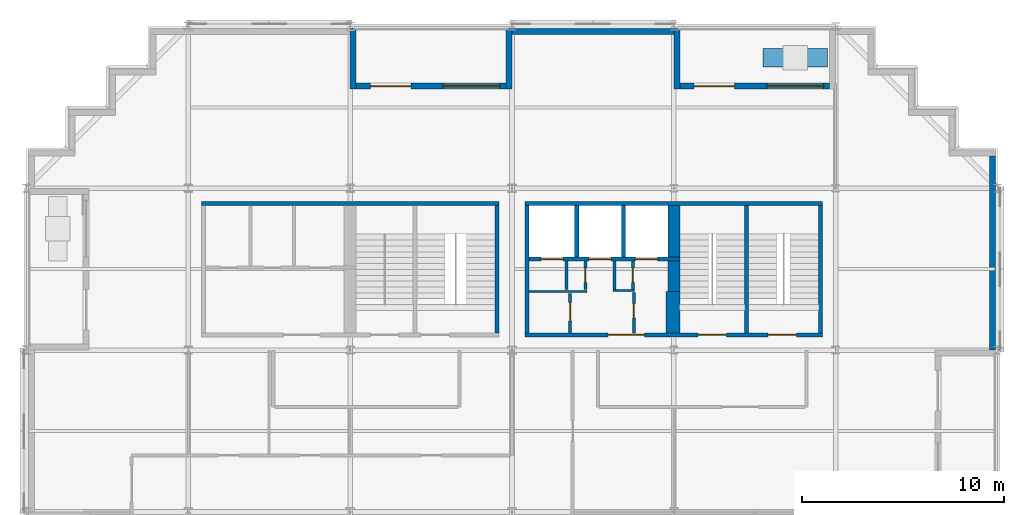
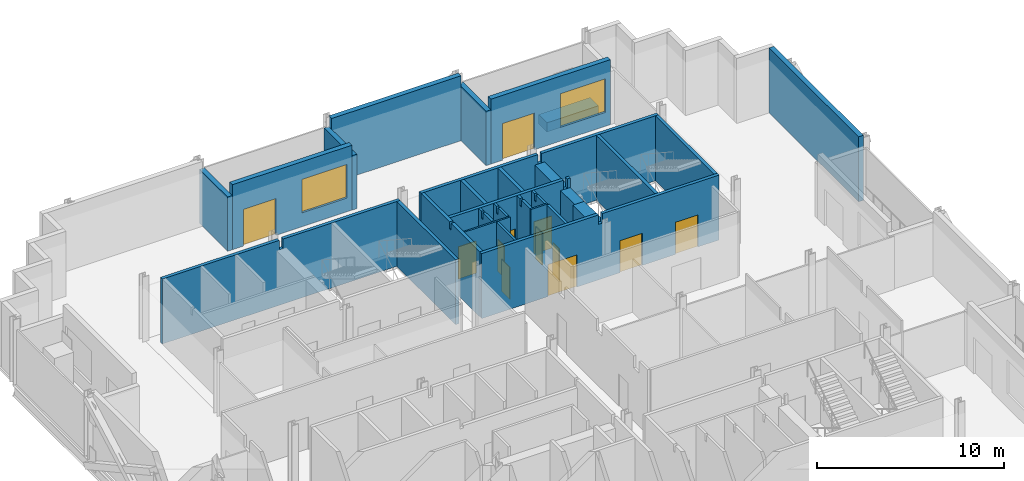
# One storey, part 10 of 15: 29 walls, 12 doors, 2 windows, 14 openings.
"""IFC4 building model written with IfcOpenShell, lengths in metres."""

from ifc_helpers import new_model, si_unit, direction, frame, frame_2d, origin, place, context, subcontext, project, spatial, polyline, rectangle, outline, extrude, material, layer, layer_set, type_object, element, fill, save


model = new_model("IFC4")

# Units and contexts
model_context = context("Model", 3, precision=1e-05, world=origin(), true_north=direction((0.0, 1.0)))
body_context = subcontext(model_context, "Body", "Model", "MODEL_VIEW")
ifc_project = project(units=[si_unit("LENGTHUNIT", "METRE"), si_unit("AREAUNIT", "SQUARE_METRE"), si_unit("VOLUMEUNIT", "CUBIC_METRE"), si_unit("PLANEANGLEUNIT", "RADIAN"), si_unit("MASSUNIT", "GRAM", prefix="KILO")], contexts=[model_context])

# Site, building, storey
site_placement = place(None, origin())
site = spatial("IfcSite", under=ifc_project, at=site_placement, CompositionType="ELEMENT")
building_placement = place(site_placement, origin())
building = spatial("IfcBuilding", under=site, at=building_placement, Name="Immortelle Media Tower", CompositionType="ELEMENT")
storey_placement = place(building_placement, frame((0.0, 0.0, 78.800048828125)))
storey = spatial("IfcBuildingStorey", under=building, at=storey_placement, Name="L14", CompositionType="ELEMENT", Elevation=78.800048828125)

# Walls
ifc_material_1 = material(Name="Fire-rated gypsum board", Category="gypsum")
ifc_layer_1 = layer(ifc_material_1, 0.02490234375)
ifc_material_2 = material(Name="Steel ASTM A653 SS Gr 50 stud frame with mineral wool", Category="steel")
ifc_layer_2 = layer(ifc_material_2, 0.050048828125)
ifc_layer_3 = layer(ifc_material_1, 0.02490234375)
ifc_layer_set_1 = layer_set([ifc_layer_1, ifc_layer_2, ifc_layer_3], Name="Steel ASTM A653 SS Gr 50 stud frame with mineral wool")
wall_type_1 = type_object("IfcWallType", Name="Core partition 100", PredefinedType="PARTITIONING", material=ifc_layer_set_1)
wall_1_placement = place(storey_placement, frame((24.85009765625, 34.89990234375, 0.0), z_axis=(0.0, 0.0, 1.0), x_axis=(1.0, 0.0, 0.0)))
element("IfcWall", 1, at=wall_1_placement, inside=storey, type_object=wall_type_1, Name="Core partition NE", PredefinedType="PARTITIONING", context=body_context, shape_type="SweptSolid", body=[
    extrude(rectangle(XDim=2.849853515625, YDim=0.10009765625, at=frame_2d((1.4248046875, 0.0))), origin(), (0.0, 0.0, 1.0), 4.25),
])
wall_2_placement = place(storey_placement, frame((29.0, 34.949951171875, 0.0), z_axis=(0.0, 0.0, 1.0), x_axis=(1.0, 0.0, 0.0)))
element("IfcWall", 2, at=wall_2_placement, inside=storey, type_object=wall_type_1, Name="Core partition NE", PredefinedType="PARTITIONING", context=body_context, shape_type="SweptSolid", body=[
    extrude(rectangle(XDim=1.050048828125, YDim=0.10009765625, at=frame_2d((0.52490234375, 0.0))), origin(), (0.0, 0.0, 1.0), 4.25),
])
ifc_layer_4 = layer(ifc_material_1, 0.02490234375)
ifc_layer_5 = layer(ifc_material_2, 0.10009765625)
ifc_layer_6 = layer(ifc_material_1, 0.02490234375)
ifc_layer_set_2 = layer_set([ifc_layer_4, ifc_layer_5, ifc_layer_6], Name="Steel ASTM A653 SS Gr 50 stud frame with mineral wool")
wall_type_2 = type_object("IfcWallType", Name="Core partition 150", PredefinedType="PARTITIONING", material=ifc_layer_set_2)
wall_3_placement = place(storey_placement, frame((26.699951171875, 35.0, 0.0), z_axis=(0.0, 0.0, 1.0), x_axis=(0.0, 1.0, 0.0)))
element("IfcWall", 3, at=wall_3_placement, inside=storey, type_object=wall_type_2, Name="Core partition NE", PredefinedType="PARTITIONING", context=body_context, shape_type="SweptSolid", body=[
    extrude(outline(polyline([(0.0, 0.0), (1.39990234375, 0.0), (1.39990234375, 4.25), (1.08154296875, 4.25), (1.08056640625, 3.7890625), (0.91943359375, 3.7890625), (0.91845703125, 4.25), (0.0, 4.25), (0.0, 0.0)])), frame((0.0, 0.074951171875, 0.0), z_axis=(0.0, -1.0, 0.0), x_axis=(1.0, 0.0, 0.0)), (0.0, 0.0, 1.0), 0.14990234375),
])

# Wall, opening, door
wall_4_placement = place(storey_placement, frame((26.875, 32.85009765625, 0.0), z_axis=(0.0, 0.0, 1.0), x_axis=(0.0, 1.0, 0.0)))
wall_4 = element("IfcWall", 4, at=wall_4_placement, inside=storey, type_object=wall_type_2, Name="Core partition NE", PredefinedType="PARTITIONING", context=body_context, shape_type="SweptSolid", body=[
    extrude(rectangle(XDim=1.949951171875, YDim=0.14990234375, at=frame_2d((0.97509765625, 0.0))), origin(), (0.0, 0.0, 1.0), 4.25),
])
opening_1_placement = place(wall_4_placement, frame((0.60009765625, 0.0, 0.0)))
opening_1 = element("IfcOpeningElement", 5, at=opening_1_placement, cuts=wall_4, Name="Opening N4-K028", PredefinedType="OPENING", context=body_context, shape_type="SweptSolid", body=[
    extrude(rectangle(XDim=0.89990234375, YDim=2.10009765625, at=frame_2d((0.449951171875, 1.050048828125))), frame((0.0, 0.0849609375, 0.0), z_axis=(0.0, -1.0, 0.0), x_axis=(1.0, 0.0, 0.0)), (0.0, 0.0, 1.0), 0.169921875),
])
ifc_material_3 = material(Name="Galvanised steel door leaf and frame ASTM A653", Category="steel")
door_type_1 = type_object("IfcDoorType", Name="Service door 900 x 2100", OperationType="NOTDEFINED", PredefinedType="NOTDEFINED", material=ifc_material_3)
door_1_placement = place(opening_1_placement, origin())
door_1 = element("IfcDoor", 6, at=door_1_placement, inside=storey, type_object=door_type_1, Name="Service N4-K028", OperationType="SINGLE_SWING_RIGHT", OverallHeight=2.10009765625, OverallWidth=0.89990234375, PredefinedType="NOTDEFINED", context=body_context, shape_type="SweptSolid", body=[
    extrude(rectangle(XDim=0.89990234375, YDim=2.10009765625, at=frame_2d((0.449951171875, 1.050048828125))), frame((0.0, 0.02490234375, 0.0), z_axis=(0.0, -1.0, 0.0), x_axis=(1.0, 0.0, 0.0)), (0.0, 0.0, 1.0), 0.050048828125),
])
fill(opening_1, door_1)

wall_5_placement = place(storey_placement, frame((27.625, 35.0, 0.0), z_axis=(0.0, 0.0, 1.0), x_axis=(0.0, 1.0, 0.0)))
wall_5 = element("IfcWall", 7, at=wall_5_placement, inside=storey, type_object=wall_type_2, Name="Core partition NE", PredefinedType="PARTITIONING", context=body_context, shape_type="SweptSolid", body=[
    extrude(outline(polyline([(0.0, 0.0), (1.39990234375, 0.0), (1.39990234375, 4.25), (1.08154296875, 4.25), (1.08056640625, 3.7890625), (0.91943359375, 3.7890625), (0.91845703125, 4.25), (0.0, 4.25), (0.0, 0.0)])), frame((0.0, 0.074951171875, 0.0), z_axis=(0.0, -1.0, 0.0), x_axis=(1.0, 0.0, 0.0)), (0.0, 0.0, 1.0), 0.14990234375),
])
opening_2_placement = place(wall_5_placement, frame((0.35009765625, 0.0, 0.0)))
opening_2 = element("IfcOpeningElement", 8, at=opening_2_placement, cuts=wall_5, Name="Opening N4-K047", PredefinedType="OPENING", context=body_context, shape_type="SweptSolid", body=[
    extrude(rectangle(XDim=0.699951171875, YDim=2.10009765625, at=frame_2d((0.35009765625, 1.050048828125))), frame((0.0, 0.0849609375, 0.0), z_axis=(0.0, -1.0, 0.0), x_axis=(1.0, 0.0, 0.0)), (0.0, 0.0, 1.0), 0.169921875),
])
door_type_2 = type_object("IfcDoorType", Name="Service door 700 x 2100", OperationType="NOTDEFINED", PredefinedType="NOTDEFINED", material=ifc_material_3)
door_2_placement = place(opening_2_placement, origin())
door_2 = element("IfcDoor", 9, at=door_2_placement, inside=storey, type_object=door_type_2, Name="Service N4-K047", OperationType="SINGLE_SWING_LEFT", OverallHeight=2.10009765625, OverallWidth=0.699951171875, PredefinedType="NOTDEFINED", context=body_context, shape_type="SweptSolid", body=[
    extrude(rectangle(XDim=0.699951171875, YDim=2.10009765625, at=frame_2d((0.35009765625, 1.050048828125))), frame((0.0, 0.02490234375, 0.0), z_axis=(0.0, -1.0, 0.0), x_axis=(1.0, 0.0, 0.0)), (0.0, 0.0, 1.0), 0.050048828125),
])
fill(opening_2, door_2)

# Wall
wall_6_placement = place(storey_placement, frame((29.074951171875, 35.0, 0.0), z_axis=(0.0, 0.0, 1.0), x_axis=(0.0, 1.0, 0.0)))
element("IfcWall", 10, at=wall_6_placement, inside=storey, type_object=wall_type_2, Name="Core partition NE", PredefinedType="PARTITIONING", context=body_context, shape_type="SweptSolid", body=[
    extrude(outline(polyline([(0.0, 0.0), (1.39990234375, 0.0), (1.39990234375, 4.25), (1.08154296875, 4.25), (1.08056640625, 3.7890625), (0.91943359375, 3.7890625), (0.91845703125, 4.25), (0.0, 4.25), (0.0, 0.0)])), frame((0.0, 0.074951171875, 0.0), z_axis=(0.0, -1.0, 0.0), x_axis=(1.0, 0.0, 0.0)), (0.0, 0.0, 1.0), 0.14990234375),
])

# Wall, opening, door
wall_7_placement = place(storey_placement, frame((29.97509765625, 35.0, 0.0), z_axis=(0.0, 0.0, 1.0), x_axis=(0.0, 1.0, 0.0)))
wall_7 = element("IfcWall", 11, at=wall_7_placement, inside=storey, type_object=wall_type_2, Name="Core partition NE", PredefinedType="PARTITIONING", context=body_context, shape_type="SweptSolid", body=[
    extrude(outline(polyline([(0.0, 0.0), (1.39990234375, 0.0), (1.39990234375, 4.25), (1.08154296875, 4.25), (1.08056640625, 3.7890625), (0.91943359375, 3.7890625), (0.91845703125, 4.25), (0.0, 4.25), (0.0, 0.0)])), frame((0.0, 0.074951171875, 0.0), z_axis=(0.0, -1.0, 0.0), x_axis=(1.0, 0.0, 0.0)), (0.0, 0.0, 1.0), 0.14990234375),
])
opening_3_placement = place(wall_7_placement, frame((1.050048828125, 0.0, 0.0), z_axis=(0.0, 0.0, 1.0), x_axis=(-1.0, 0.0, 0.0)))
opening_3 = element("IfcOpeningElement", 12, at=opening_3_placement, cuts=wall_7, Name="Opening N4-K031", PredefinedType="OPENING", context=body_context, shape_type="SweptSolid", body=[
    extrude(rectangle(XDim=0.699951171875, YDim=2.10009765625, at=frame_2d((0.35009765625, 1.050048828125))), frame((0.0, 0.0849609375, 0.0), z_axis=(0.0, -1.0, 0.0), x_axis=(1.0, 0.0, 0.0)), (0.0, 0.0, 1.0), 0.169921875),
])
door_3_placement = place(opening_3_placement, origin())
door_3 = element("IfcDoor", 13, at=door_3_placement, inside=storey, type_object=door_type_2, Name="Service N4-K031", OperationType="SINGLE_SWING_LEFT", OverallHeight=2.10009765625, OverallWidth=0.699951171875, PredefinedType="NOTDEFINED", context=body_context, shape_type="SweptSolid", body=[
    extrude(rectangle(XDim=0.699951171875, YDim=2.10009765625, at=frame_2d((0.35009765625, 1.050048828125))), frame((0.0, 0.02490234375, 0.0), z_axis=(0.0, -1.0, 0.0), x_axis=(1.0, 0.0, 0.0)), (0.0, 0.0, 1.0), 0.050048828125),
])
fill(opening_3, door_3)

wall_8_placement = place(storey_placement, frame((30.02490234375, 32.85009765625, 0.0), z_axis=(0.0, 0.0, 1.0), x_axis=(0.0, 1.0, 0.0)))
wall_8 = element("IfcWall", 14, at=wall_8_placement, inside=storey, type_object=wall_type_2, Name="Core partition NE", PredefinedType="PARTITIONING", context=body_context, shape_type="SweptSolid", body=[
    extrude(rectangle(XDim=2.0, YDim=0.14990234375, at=frame_2d((1.0, 0.0))), origin(), (0.0, 0.0, 1.0), 4.25),
])
opening_4_placement = place(wall_8_placement, frame((1.449951171875, 0.0, 0.0), z_axis=(0.0, 0.0, 1.0), x_axis=(-1.0, 0.0, 0.0)))
opening_4 = element("IfcOpeningElement", 15, at=opening_4_placement, cuts=wall_8, Name="Opening N4-K048", PredefinedType="OPENING", context=body_context, shape_type="SweptSolid", body=[
    extrude(rectangle(XDim=0.699951171875, YDim=2.10009765625, at=frame_2d((0.35009765625, 1.050048828125))), frame((0.0, 0.0849609375, 0.0), z_axis=(0.0, -1.0, 0.0), x_axis=(1.0, 0.0, 0.0)), (0.0, 0.0, 1.0), 0.169921875),
])
door_4_placement = place(opening_4_placement, origin())
door_4 = element("IfcDoor", 16, at=door_4_placement, inside=storey, type_object=door_type_2, Name="Service N4-K048", OperationType="SINGLE_SWING_RIGHT", OverallHeight=2.10009765625, OverallWidth=0.699951171875, PredefinedType="NOTDEFINED", context=body_context, shape_type="SweptSolid", body=[
    extrude(rectangle(XDim=0.699951171875, YDim=2.10009765625, at=frame_2d((0.35009765625, 1.050048828125))), frame((0.0, 0.02490234375, 0.0), z_axis=(0.0, -1.0, 0.0), x_axis=(1.0, 0.0, 0.0)), (0.0, 0.0, 1.0), 0.050048828125),
])
fill(opening_4, door_4)

# Wall
ifc_layer_7 = layer(ifc_material_1, 0.03759765625)
ifc_layer_8 = layer(ifc_material_2, 0.125)
ifc_layer_9 = layer(ifc_material_1, 0.03759765625)
ifc_layer_set_3 = layer_set([ifc_layer_7, ifc_layer_8, ifc_layer_9], Name="Steel ASTM A653 SS Gr 50 stud frame with mineral wool")
wall_type_3 = type_object("IfcWallType", Name="Core shaft wall 200", PredefinedType="PARTITIONING", material=ifc_layer_set_3)
wall_9_placement = place(storey_placement, frame((24.75, 32.85009765625, 0.0), z_axis=(0.0, 0.0, 1.0), x_axis=(0.0, 1.0, 0.0)))
element("IfcWall", 17, at=wall_9_placement, inside=storey, type_object=wall_type_3, Name="Core shaft wall NE", PredefinedType="PARTITIONING", context=body_context, shape_type="SweptSolid", body=[
    extrude(outline(polyline([(0.0, 0.0), (6.2998046875, 0.0), (6.300048828125, 4.25), (3.2314453125, 4.25), (3.23046875, 3.7890625), (3.069580078125, 3.7890625), (3.068603515625, 4.25), (0.0, 4.25), (0.0, 0.0)])), frame((0.0, 0.10009765625, 0.0), z_axis=(0.0, -1.0, 0.0), x_axis=(1.0, 0.0, 0.0)), (0.0, 0.0, 1.0), 0.199951171875),
])

# Wall, openings, doors
wall_10_placement = place(storey_placement, frame((24.85009765625, 36.5, 0.0), z_axis=(0.0, 0.0, 1.0), x_axis=(1.0, 0.0, 0.0)))
wall_10 = element("IfcWall", 18, at=wall_10_placement, inside=storey, type_object=wall_type_3, Name="Core shaft wall NE", PredefinedType="PARTITIONING", context=body_context, shape_type="SweptSolid", body=[
    extrude(outline(polyline([(0.0, 0.0), (7.449951171875, 0.0), (7.449951171875, 4.25), (7.26953125, 4.25), (7.2685546875, 3.6318359375), (7.031494140625, 3.6318359375), (7.030517578125, 4.25), (0.0, 4.25), (0.0, 0.0)])), frame((0.0, 0.10009765625, 0.0), z_axis=(0.0, -1.0, 0.0), x_axis=(1.0, 0.0, 0.0)), (0.0, 0.0, 1.0), 0.199951171875),
])
opening_5_placement = place(wall_10_placement, frame((0.574951171875, 0.0, 0.0)))
opening_5 = element("IfcOpeningElement", 19, at=opening_5_placement, cuts=wall_10, Name="Opening LD", PredefinedType="OPENING", context=body_context, shape_type="SweptSolid", body=[
    extrude(rectangle(XDim=1.10009765625, YDim=2.10009765625, at=frame_2d((0.550048828125, 1.050048828125))), frame((0.0, 0.10986328125, 0.0), z_axis=(0.0, -1.0, 0.0), x_axis=(1.0, 0.0, 0.0)), (0.0, 0.0, 1.0), 0.219970703125),
])
opening_6_placement = place(wall_10_placement, frame((2.949951171875, 0.0, 0.0)))
opening_6 = element("IfcOpeningElement", 20, at=opening_6_placement, cuts=wall_10, Name="Opening LD", PredefinedType="OPENING", context=body_context, shape_type="SweptSolid", body=[
    extrude(rectangle(XDim=1.10009765625, YDim=2.10009765625, at=frame_2d((0.550048828125, 1.050048828125))), frame((0.0, 0.10986328125, 0.0), z_axis=(0.0, -1.0, 0.0), x_axis=(1.0, 0.0, 0.0)), (0.0, 0.0, 1.0), 0.219970703125),
])
opening_7_placement = place(wall_10_placement, frame((5.25, 0.0, 0.0)))
opening_7 = element("IfcOpeningElement", 21, at=opening_7_placement, cuts=wall_10, Name="Opening LD", PredefinedType="OPENING", context=body_context, shape_type="SweptSolid", body=[
    extrude(rectangle(XDim=1.10009765625, YDim=2.10009765625, at=frame_2d((0.550048828125, 1.050048828125))), frame((0.0, 0.10986328125, 0.0), z_axis=(0.0, -1.0, 0.0), x_axis=(1.0, 0.0, 0.0)), (0.0, 0.0, 1.0), 0.219970703125),
])
ifc_material_4 = material(Name="Stainless steel AISI 304", Category="steel")
door_type_3 = type_object("IfcDoorType", Name="Landing door 1100 x 2100", OperationType="SLIDING_TO_LEFT", PredefinedType="NOTDEFINED", material=ifc_material_4)
door_5_placement = place(opening_5_placement, origin())
door_5 = element("IfcDoor", 22, at=door_5_placement, inside=storey, type_object=door_type_3, Name="Landing door LR1 L14", OperationType="SLIDING_TO_LEFT", OverallHeight=2.10009765625, OverallWidth=1.10009765625, PredefinedType="NOTDEFINED", context=body_context, shape_type="SweptSolid", body=[
    extrude(rectangle(XDim=1.10009765625, YDim=2.10009765625, at=frame_2d((0.550048828125, 1.050048828125))), frame((0.0, 0.02490234375, 0.0), z_axis=(0.0, -1.0, 0.0), x_axis=(1.0, 0.0, 0.0)), (0.0, 0.0, 1.0), 0.050048828125),
])
fill(opening_5, door_5)
door_6_placement = place(opening_6_placement, origin())
door_6 = element("IfcDoor", 23, at=door_6_placement, inside=storey, type_object=door_type_3, Name="Landing door LR2 L14", OperationType="SLIDING_TO_LEFT", OverallHeight=2.10009765625, OverallWidth=1.10009765625, PredefinedType="NOTDEFINED", context=body_context, shape_type="SweptSolid", body=[
    extrude(rectangle(XDim=1.10009765625, YDim=2.10009765625, at=frame_2d((0.550048828125, 1.050048828125))), frame((0.0, 0.02490234375, 0.0), z_axis=(0.0, -1.0, 0.0), x_axis=(1.0, 0.0, 0.0)), (0.0, 0.0, 1.0), 0.050048828125),
])
fill(opening_6, door_6)
door_7_placement = place(opening_7_placement, origin())
door_7 = element("IfcDoor", 24, at=door_7_placement, inside=storey, type_object=door_type_3, Name="Landing door LR3 L14", OperationType="SLIDING_TO_LEFT", OverallHeight=2.10009765625, OverallWidth=1.10009765625, PredefinedType="NOTDEFINED", context=body_context, shape_type="SweptSolid", body=[
    extrude(rectangle(XDim=1.10009765625, YDim=2.10009765625, at=frame_2d((0.550048828125, 1.050048828125))), frame((0.0, 0.02490234375, 0.0), z_axis=(0.0, -1.0, 0.0), x_axis=(1.0, 0.0, 0.0)), (0.0, 0.0, 1.0), 0.050048828125),
])
fill(opening_7, door_7)

# Walls
for number, where, z_axis, x_axis, name in (
    (25, (27.199951171875, 36.60009765625, 0.0), (0.0, 0.0, 1.0), (0.0, 1.0, 0.0), "Core shaft wall NE"),
    (26, (29.5, 36.60009765625, 0.0), (0.0, 0.0, 1.0), (0.0, 1.0, 0.0), "Core shaft wall NE"),
):
    element("IfcWall", number, at=place(storey_placement, frame(where, z_axis=z_axis, x_axis=x_axis)), inside=storey, type_object=wall_type_3, Name=name, PredefinedType="PARTITIONING", context=body_context, shape_type="SweptSolid", body=[
        extrude(rectangle(XDim=2.5498046875, YDim=0.199951171875, at=frame_2d((1.27490234375, 0.0))), origin(), (0.0, 0.0, 1.0), 4.25),
    ])
ifc_material_5 = material(Name="Pale aluminium cladding panel", Category="aluminium")
ifc_layer_10 = layer(ifc_material_5, 0.030029296875)
ifc_layer_11 = layer(ifc_material_2, 0.257568359375)
ifc_material_6 = material(Name="Moisture-resistant gypsum board", Category="gypsum")
ifc_layer_12 = layer(ifc_material_6, 0.012451171875)
ifc_layer_set_4 = layer_set([ifc_layer_10, ifc_layer_11, ifc_layer_12], Name="Steel ASTM A653 SS Gr 50 stud frame with mineral wool")
wall_type_4 = type_object("IfcWallType", Name="Facade wall 300", PredefinedType="SOLIDWALL", material=ifc_layer_set_4)
wall_11_placement = place(storey_placement, frame((47.75, 32.0, 0.0), z_axis=(0.0, 0.0, 1.0), x_axis=(0.0, 1.0, 0.0)))
element("IfcWall", 27, at=wall_11_placement, inside=storey, type_object=wall_type_4, Name="Facade wall L14 E14", PredefinedType="SOLIDWALL", context=body_context, shape_type="SweptSolid", body=[
    extrude(rectangle(XDim=9.60009765625, YDim=0.300048828125, at=frame_2d((4.800048828125, 0.0))), origin(), (0.0, 0.0, 1.0), 4.25),
])

# Wall, openings, door, window
wall_12_placement = place(storey_placement, frame((39.699951171875, 45.050048828125, 0.0), z_axis=(0.0, 0.0, 1.0), x_axis=(-1.0, 0.0, 0.0)))
wall_12 = element("IfcWall", 28, at=wall_12_placement, inside=storey, type_object=wall_type_4, Name="Loggia wall L14 N21", PredefinedType="SOLIDWALL", context=body_context, shape_type="SweptSolid", body=[
    extrude(rectangle(XDim=7.39990234375, YDim=0.300048828125, at=frame_2d((3.699951171875, 0.0))), origin(), (0.0, 0.0, 1.0), 4.25),
])
opening_8_placement = place(wall_12_placement, frame((0.300048828125, 0.0, 0.89990234375)))
opening_8 = element("IfcOpeningElement", 29, at=opening_8_placement, cuts=wall_12, Name="Opening W1", PredefinedType="OPENING", context=body_context, shape_type="SweptSolid", body=[
    extrude(rectangle(XDim=2.800048828125, YDim=2.199951171875, at=frame_2d((1.39990234375, 1.10009765625))), frame((0.0, 0.159912109375, 0.0), z_axis=(0.0, -1.0, 0.0), x_axis=(1.0, 0.0, 0.0)), (0.0, 0.0, 1.0), 0.320068359375),
])
opening_9_placement = place(wall_12_placement, frame((4.699951171875, 0.0, 0.0)))
opening_9 = element("IfcOpeningElement", 30, at=opening_9_placement, cuts=wall_12, Name="Opening N4-E007", PredefinedType="OPENING", context=body_context, shape_type="SweptSolid", body=[
    extrude(rectangle(XDim=2.0, YDim=2.39990234375, at=frame_2d((1.0, 1.199951171875))), frame((0.0, 0.159912109375, 0.0), z_axis=(0.0, -1.0, 0.0), x_axis=(1.0, 0.0, 0.0)), (0.0, 0.0, 1.0), 0.320068359375),
])
ifc_material_7 = material(Name="Aluminium frame, glazed leaves", Category="aluminium")
door_type_4 = type_object("IfcDoorType", Name="Loggia door 2000 x 2400", OperationType="DOUBLE_DOOR_SINGLE_SWING", PredefinedType="DOOR", material=ifc_material_7)
door_8_placement = place(opening_9_placement, origin())
door_8 = element("IfcDoor", 31, at=door_8_placement, inside=storey, type_object=door_type_4, Name="Door N4-E007", OperationType="DOUBLE_DOOR_SINGLE_SWING", OverallHeight=2.39990234375, OverallWidth=2.0, PredefinedType="DOOR", context=body_context, shape_type="SweptSolid", body=[
    extrude(rectangle(XDim=2.0, YDim=2.39990234375, at=frame_2d((1.0, 1.199951171875))), frame((0.0, 0.02490234375, 0.0), z_axis=(0.0, -1.0, 0.0), x_axis=(1.0, 0.0, 0.0)), (0.0, 0.0, 1.0), 0.050048828125),
])
fill(opening_9, door_8)
ifc_material_8 = material(Name="Aluminium frame", Category="aluminium")
window_type = type_object("IfcWindowType", Name="Window 2800 x 2200", PartitioningType="SINGLE_PANEL", PredefinedType="WINDOW", material=ifc_material_8)
window_1_placement = place(opening_8_placement, origin())
window_1 = element("IfcWindow", 32, at=window_1_placement, inside=storey, type_object=window_type, Name="Window L14 L14-R21-B0", OverallHeight=2.199951171875, OverallWidth=2.800048828125, PartitioningType="SINGLE_PANEL", PredefinedType="WINDOW", context=body_context, shape_type="SweptSolid", body=[
    extrude(rectangle(XDim=2.800048828125, YDim=2.199951171875, at=frame_2d((1.39990234375, 1.10009765625))), frame((0.0, 0.030029296875, 0.0), z_axis=(0.0, -1.0, 0.0), x_axis=(1.0, 0.0, 0.0)), (0.0, 0.0, 1.0), 0.06005859375),
])
fill(opening_8, window_1)

# Walls
wall_13_placement = place(storey_placement, frame((32.14990234375, 47.89990234375, 0.0), z_axis=(0.0, 0.0, 1.0), x_axis=(0.0, -1.0, 0.0)))
element("IfcWall", 33, at=wall_13_placement, inside=storey, type_object=wall_type_4, Name="Loggia cheek wall L14 N", PredefinedType="SOLIDWALL", context=body_context, shape_type="SweptSolid", body=[
    extrude(rectangle(XDim=3.0, YDim=0.300048828125, at=frame_2d((1.5, 0.0))), origin(), (0.0, 0.0, 1.0), 3.555908203125),
])
wall_14_placement = place(storey_placement, frame((32.0, 47.75, 0.0), z_axis=(0.0, 0.0, 1.0), x_axis=(-1.0, 0.0, 0.0)))
element("IfcWall", 34, at=wall_14_placement, inside=storey, type_object=wall_type_4, Name="Facade wall L14 N21", PredefinedType="SOLIDWALL", context=body_context, shape_type="SweptSolid", body=[
    extrude(rectangle(XDim=8.0, YDim=0.300048828125, at=frame_2d((4.0, 0.0))), origin(), (0.0, 0.0, 1.0), 4.25),
])

# Wall, openings, door, window
wall_15_placement = place(storey_placement, frame((23.699951171875, 45.050048828125, 0.0), z_axis=(0.0, 0.0, 1.0), x_axis=(-1.0, 0.0, 0.0)))
wall_15 = element("IfcWall", 35, at=wall_15_placement, inside=storey, type_object=wall_type_4, Name="Loggia wall L14 N21", PredefinedType="SOLIDWALL", context=body_context, shape_type="SweptSolid", body=[
    extrude(rectangle(XDim=7.39990234375, YDim=0.300048828125, at=frame_2d((3.699951171875, 0.0))), origin(), (0.0, 0.0, 1.0), 4.25),
])
opening_10_placement = place(wall_15_placement, frame((0.300048828125, 0.0, 0.89990234375)))
opening_10 = element("IfcOpeningElement", 36, at=opening_10_placement, cuts=wall_15, Name="Opening W1", PredefinedType="OPENING", context=body_context, shape_type="SweptSolid", body=[
    extrude(rectangle(XDim=2.800048828125, YDim=2.199951171875, at=frame_2d((1.39990234375, 1.10009765625))), frame((0.0, 0.159912109375, 0.0), z_axis=(0.0, -1.0, 0.0), x_axis=(1.0, 0.0, 0.0)), (0.0, 0.0, 1.0), 0.320068359375),
])
opening_11_placement = place(wall_15_placement, frame((4.699951171875, 0.0, 0.0)))
opening_11 = element("IfcOpeningElement", 37, at=opening_11_placement, cuts=wall_15, Name="Opening N4-E008", PredefinedType="OPENING", context=body_context, shape_type="SweptSolid", body=[
    extrude(rectangle(XDim=2.0, YDim=2.39990234375, at=frame_2d((1.0, 1.199951171875))), frame((0.0, 0.159912109375, 0.0), z_axis=(0.0, -1.0, 0.0), x_axis=(1.0, 0.0, 0.0)), (0.0, 0.0, 1.0), 0.320068359375),
])
door_9_placement = place(opening_11_placement, origin())
door_9 = element("IfcDoor", 38, at=door_9_placement, inside=storey, type_object=door_type_4, Name="Door N4-E008", OperationType="DOUBLE_DOOR_SINGLE_SWING", OverallHeight=2.39990234375, OverallWidth=2.0, PredefinedType="DOOR", context=body_context, shape_type="SweptSolid", body=[
    extrude(rectangle(XDim=2.0, YDim=2.39990234375, at=frame_2d((1.0, 1.199951171875))), frame((0.0, 0.02490234375, 0.0), z_axis=(0.0, -1.0, 0.0), x_axis=(1.0, 0.0, 0.0)), (0.0, 0.0, 1.0), 0.050048828125),
])
fill(opening_11, door_9)
window_2_placement = place(opening_10_placement, origin())
window_2 = element("IfcWindow", 39, at=window_2_placement, inside=storey, type_object=window_type, Name="Window L14 L14-R21-B2", OverallHeight=2.199951171875, OverallWidth=2.800048828125, PartitioningType="SINGLE_PANEL", PredefinedType="WINDOW", context=body_context, shape_type="SweptSolid", body=[
    extrude(rectangle(XDim=2.800048828125, YDim=2.199951171875, at=frame_2d((1.39990234375, 1.10009765625))), frame((0.0, 0.030029296875, 0.0), z_axis=(0.0, -1.0, 0.0), x_axis=(1.0, 0.0, 0.0)), (0.0, 0.0, 1.0), 0.06005859375),
])
fill(opening_10, window_2)

# Walls
for number, where, z_axis, x_axis, name in (
    (40, (23.85009765625, 47.89990234375, 0.0), (0.0, 0.0, 1.0), (0.0, -1.0, 0.0), "Loggia cheek wall L14 N"),
    (41, (16.14990234375, 47.89990234375, 0.0), (0.0, 0.0, 1.0), (0.0, -1.0, 0.0), "Loggia cheek wall L14 N"),
):
    element("IfcWall", number, at=place(storey_placement, frame(where, z_axis=z_axis, x_axis=x_axis)), inside=storey, type_object=wall_type_4, Name=name, PredefinedType="SOLIDWALL", context=body_context, shape_type="SweptSolid", body=[
        extrude(rectangle(XDim=3.0, YDim=0.300048828125, at=frame_2d((1.5, 0.0))), origin(), (0.0, 0.0, 1.0), 3.555908203125),
    ])
ifc_layer_13 = layer(ifc_material_5, 0.0029296875)
ifc_material_9 = material(Name="Steel ASTM A572 Gr 50 planter shell", Category="steel")
ifc_layer_14 = layer(ifc_material_9, 0.011962890625)
ifc_material_10 = material(Name="Planting substrate", Category="soil")
ifc_layer_15 = layer(ifc_material_10, 0.873046875)
ifc_layer_16 = layer(ifc_material_9, 0.011962890625)
ifc_layer_set_5 = layer_set([ifc_layer_13, ifc_layer_14, ifc_layer_15, ifc_layer_16], Name="Steel ASTM A572 Gr 50 planter shell")
wall_type_5 = type_object("IfcWallType", Name="Planter wall 900", PredefinedType="SOLIDWALL", material=ifc_layer_set_5)
wall_16_placement = place(storey_placement, frame((39.60009765625, 46.449951171875, 0.0), z_axis=(0.0, 0.0, 1.0), x_axis=(-1.0, 0.0, 0.0)))
element("IfcWall", 42, at=wall_16_placement, inside=storey, type_object=wall_type_5, Name="Planter L14 N0", PredefinedType="SOLIDWALL", context=body_context, shape_type="SweptSolid", body=[
    extrude(rectangle(XDim=3.2001953125, YDim=0.89990234375, at=frame_2d((1.60009765625, 0.0))), origin(), (0.0, 0.0, 1.0), 0.599853515625),
])
ifc_material_11 = material(Name="Concrete C60", Category="concrete")
ifc_layer_17 = layer(ifc_material_11, 0.199951171875)
ifc_layer_set_6 = layer_set([ifc_layer_17], Name="Concrete C60")
wall_type_6 = type_object("IfcWallType", Name="Stair shaft wall 200", PredefinedType="PARTITIONING", material=ifc_layer_set_6)
wall_17_placement = place(storey_placement, frame((8.64990234375, 39.25, 0.0), z_axis=(0.0, 0.0, 1.0), x_axis=(1.0, 0.0, 0.0)))
element("IfcWall", 43, at=wall_17_placement, inside=storey, type_object=wall_type_6, Name="Stair shaft wall NW", PredefinedType="PARTITIONING", context=body_context, shape_type="SweptSolid", body=[
    extrude(outline(polyline([(0.0, 0.0), (14.7001953125, 0.0), (14.699951171875, 4.25), (7.469482421875, 4.25), (7.468505859375, 3.6318359375), (7.2314453125, 3.6318359375), (7.23046875, 4.25), (0.0, 4.25), (0.0, 0.0)])), frame((0.0, 0.10009765625, 0.0), z_axis=(0.0, -1.0, 0.0), x_axis=(1.0, 0.0, 0.0)), (0.0, 0.0, 1.0), 0.199951171875),
])
wall_18_placement = place(storey_placement, frame((23.25, 32.85009765625, 0.0), z_axis=(0.0, 0.0, 1.0), x_axis=(0.0, 1.0, 0.0)))
element("IfcWall", 44, at=wall_18_placement, inside=storey, type_object=wall_type_6, Name="Stair shaft wall NW", PredefinedType="PARTITIONING", context=body_context, shape_type="SweptSolid", body=[
    extrude(rectangle(XDim=6.2998046875, YDim=0.199951171875, at=frame_2d((3.14990234375, 0.0))), origin(), (0.0, 0.0, 1.0), 4.25),
])

# Wall, openings, doors
wall_19_placement = place(storey_placement, frame((24.64990234375, 32.75, 0.0), z_axis=(0.0, 0.0, 1.0), x_axis=(1.0, 0.0, 0.0)))
wall_19 = element("IfcWall", 45, at=wall_19_placement, inside=storey, type_object=wall_type_6, Name="Stair shaft wall NE", PredefinedType="PARTITIONING", context=body_context, shape_type="SweptSolid", body=[
    extrude(outline(polyline([(0.0, 0.0), (14.7001953125, 0.0), (14.699951171875, 4.25), (7.469482421875, 4.25), (7.468505859375, 3.6318359375), (7.2314453125, 3.6318359375), (7.23046875, 4.25), (0.0, 4.25), (0.0, 0.0)])), frame((0.0, 0.10009765625, 0.0), z_axis=(0.0, -1.0, 0.0), x_axis=(1.0, 0.0, 0.0)), (0.0, 0.0, 1.0), 0.199951171875),
])
opening_12_placement = place(wall_19_placement, frame((4.10009765625, 0.0, 0.0)))
opening_12 = element("IfcOpeningElement", 46, at=opening_12_placement, cuts=wall_19, Name="Opening N4-K030", PredefinedType="OPENING", context=body_context, shape_type="SweptSolid", body=[
    extrude(rectangle(XDim=1.800048828125, YDim=2.10009765625, at=frame_2d((0.89990234375, 1.050048828125))), frame((0.0, 0.10986328125, 0.0), z_axis=(0.0, -1.0, 0.0), x_axis=(1.0, 0.0, 0.0)), (0.0, 0.0, 1.0), 0.219970703125),
])
opening_13_placement = place(wall_19_placement, frame((8.550048828125, 0.0, 0.0)))
opening_13 = element("IfcOpeningElement", 47, at=opening_13_placement, cuts=wall_19, Name="Opening N4-K033", PredefinedType="OPENING", context=body_context, shape_type="SweptSolid", body=[
    extrude(rectangle(XDim=1.39990234375, YDim=2.10009765625, at=frame_2d((0.699951171875, 1.050048828125))), frame((0.0, 0.10986328125, 0.0), z_axis=(0.0, -1.0, 0.0), x_axis=(1.0, 0.0, 0.0)), (0.0, 0.0, 1.0), 0.219970703125),
])
opening_14_placement = place(wall_19_placement, frame((12.0, 0.0, 0.0)))
opening_14 = element("IfcOpeningElement", 48, at=opening_14_placement, cuts=wall_19, Name="Opening N4-K034", PredefinedType="OPENING", context=body_context, shape_type="SweptSolid", body=[
    extrude(rectangle(XDim=1.39990234375, YDim=2.10009765625, at=frame_2d((0.699951171875, 1.050048828125))), frame((0.0, 0.10986328125, 0.0), z_axis=(0.0, -1.0, 0.0), x_axis=(1.0, 0.0, 0.0)), (0.0, 0.0, 1.0), 0.219970703125),
])
door_type_5 = type_object("IfcDoorType", Name="Lift lobby door 1800 x 2100", OperationType="DOUBLE_DOOR_SINGLE_SWING", PredefinedType="NOTDEFINED", material=ifc_material_3)
door_10_placement = place(opening_12_placement, origin())
door_10 = element("IfcDoor", 49, at=door_10_placement, inside=storey, type_object=door_type_5, Name="Lift lobby N4-K030", OperationType="DOUBLE_DOOR_SINGLE_SWING", OverallHeight=2.10009765625, OverallWidth=1.800048828125, PredefinedType="NOTDEFINED", context=body_context, shape_type="SweptSolid", body=[
    extrude(rectangle(XDim=1.800048828125, YDim=2.10009765625, at=frame_2d((0.89990234375, 1.050048828125))), frame((0.0, 0.02490234375, 0.0), z_axis=(0.0, -1.0, 0.0), x_axis=(1.0, 0.0, 0.0)), (0.0, 0.0, 1.0), 0.050048828125),
])
fill(opening_12, door_10)
door_type_6 = type_object("IfcDoorType", Name="Stair door 1400 x 2100", OperationType="DOUBLE_DOOR_SINGLE_SWING", PredefinedType="NOTDEFINED", material=ifc_material_3)
door_11_placement = place(opening_13_placement, origin())
door_11 = element("IfcDoor", 50, at=door_11_placement, inside=storey, type_object=door_type_6, Name="Stair N4-K033", OperationType="DOUBLE_DOOR_SINGLE_SWING", OverallHeight=2.10009765625, OverallWidth=1.39990234375, PredefinedType="NOTDEFINED", context=body_context, shape_type="SweptSolid", body=[
    extrude(rectangle(XDim=1.39990234375, YDim=2.10009765625, at=frame_2d((0.699951171875, 1.050048828125))), frame((0.0, 0.02490234375, 0.0), z_axis=(0.0, -1.0, 0.0), x_axis=(1.0, 0.0, 0.0)), (0.0, 0.0, 1.0), 0.050048828125),
])
fill(opening_13, door_11)
door_12_placement = place(opening_14_placement, origin())
door_12 = element("IfcDoor", 51, at=door_12_placement, inside=storey, type_object=door_type_6, Name="Stair N4-K034", OperationType="DOUBLE_DOOR_SINGLE_SWING", OverallHeight=2.10009765625, OverallWidth=1.39990234375, PredefinedType="NOTDEFINED", context=body_context, shape_type="SweptSolid", body=[
    extrude(rectangle(XDim=1.39990234375, YDim=2.10009765625, at=frame_2d((0.699951171875, 1.050048828125))), frame((0.0, 0.02490234375, 0.0), z_axis=(0.0, -1.0, 0.0), x_axis=(1.0, 0.0, 0.0)), (0.0, 0.0, 1.0), 0.050048828125),
])
fill(opening_14, door_12)

# Walls
wall_20_placement = place(storey_placement, frame((24.64990234375, 39.25, 0.0), z_axis=(0.0, 0.0, 1.0), x_axis=(1.0, 0.0, 0.0)))
element("IfcWall", 52, at=wall_20_placement, inside=storey, type_object=wall_type_6, Name="Stair shaft wall NE", PredefinedType="PARTITIONING", context=body_context, shape_type="SweptSolid", body=[
    extrude(outline(polyline([(0.0, 0.0), (14.7001953125, 0.0), (14.699951171875, 4.25), (7.469482421875, 4.25), (7.468505859375, 3.6318359375), (7.2314453125, 3.6318359375), (7.23046875, 4.25), (0.0, 4.25), (0.0, 0.0)])), frame((0.0, 0.10009765625, 0.0), z_axis=(0.0, -1.0, 0.0), x_axis=(1.0, 0.0, 0.0)), (0.0, 0.0, 1.0), 0.199951171875),
])
for number, where, z_axis, x_axis, name in (
    (53, (35.60009765625, 32.85009765625, 0.0), (0.0, 0.0, 1.0), (0.0, 1.0, 0.0), "Stair shaft wall NE"),
    (54, (39.25, 32.85009765625, 0.0), (0.0, 0.0, 1.0), (0.0, 1.0, 0.0), "Stair shaft wall NE"),
):
    element("IfcWall", number, at=place(storey_placement, frame(where, z_axis=z_axis, x_axis=x_axis)), inside=storey, type_object=wall_type_6, Name=name, PredefinedType="PARTITIONING", context=body_context, shape_type="SweptSolid", body=[
        extrude(rectangle(XDim=6.2998046875, YDim=0.199951171875, at=frame_2d((3.14990234375, 0.0))), origin(), (0.0, 0.0, 1.0), 4.25),
    ])
ifc_layer_18 = layer(ifc_material_11, 0.60009765625)
ifc_layer_set_7 = layer_set([ifc_layer_18], Name="Concrete C60")
wall_type_7 = type_object("IfcWallType", Name="Stair shaft wall 600", PredefinedType="PARTITIONING", material=ifc_layer_set_7)
wall_21_placement = place(storey_placement, frame((32.0, 34.89990234375, 0.0), z_axis=(0.0, 0.0, 1.0), x_axis=(0.0, 1.0, 0.0)))
element("IfcWall", 55, at=wall_21_placement, inside=storey, type_object=wall_type_7, Name="Stair shaft wall NE", PredefinedType="PARTITIONING", context=body_context, shape_type="SweptSolid", body=[
    extrude(rectangle(XDim=1.5, YDim=0.60009765625, at=frame_2d((0.75, 0.0))), origin(), (0.0, 0.0, 1.0), 3.6318359375),
])
wall_22_placement = place(storey_placement, frame((32.0, 36.60009765625, 0.0), z_axis=(0.0, 0.0, 1.0), x_axis=(0.0, 1.0, 0.0)))
element("IfcWall", 56, at=wall_22_placement, inside=storey, type_object=wall_type_7, Name="Stair shaft wall NE", PredefinedType="PARTITIONING", context=body_context, shape_type="SweptSolid", body=[
    extrude(rectangle(XDim=2.5498046875, YDim=0.60009765625, at=frame_2d((1.27490234375, 0.0))), origin(), (0.0, 0.0, 1.0), 3.6318359375),
])
ifc_layer_19 = layer(ifc_material_11, 0.699951171875)
ifc_layer_set_8 = layer_set([ifc_layer_19], Name="Concrete C60")
wall_type_8 = type_object("IfcWallType", Name="Stair shaft wall 700", PredefinedType="PARTITIONING", material=ifc_layer_set_8)
wall_23_placement = place(storey_placement, frame((31.949951171875, 32.85009765625, 0.0), z_axis=(0.0, 0.0, 1.0), x_axis=(0.0, 1.0, 0.0)))
element("IfcWall", 57, at=wall_23_placement, inside=storey, type_object=wall_type_8, Name="Stair shaft wall NE", PredefinedType="PARTITIONING", context=body_context, shape_type="SweptSolid", body=[
    extrude(rectangle(XDim=2.0498046875, YDim=0.699951171875, at=frame_2d((1.02490234375, 0.0))), origin(), (0.0, 0.0, 1.0), 3.6318359375),
])

save(model, "model.ifc")
